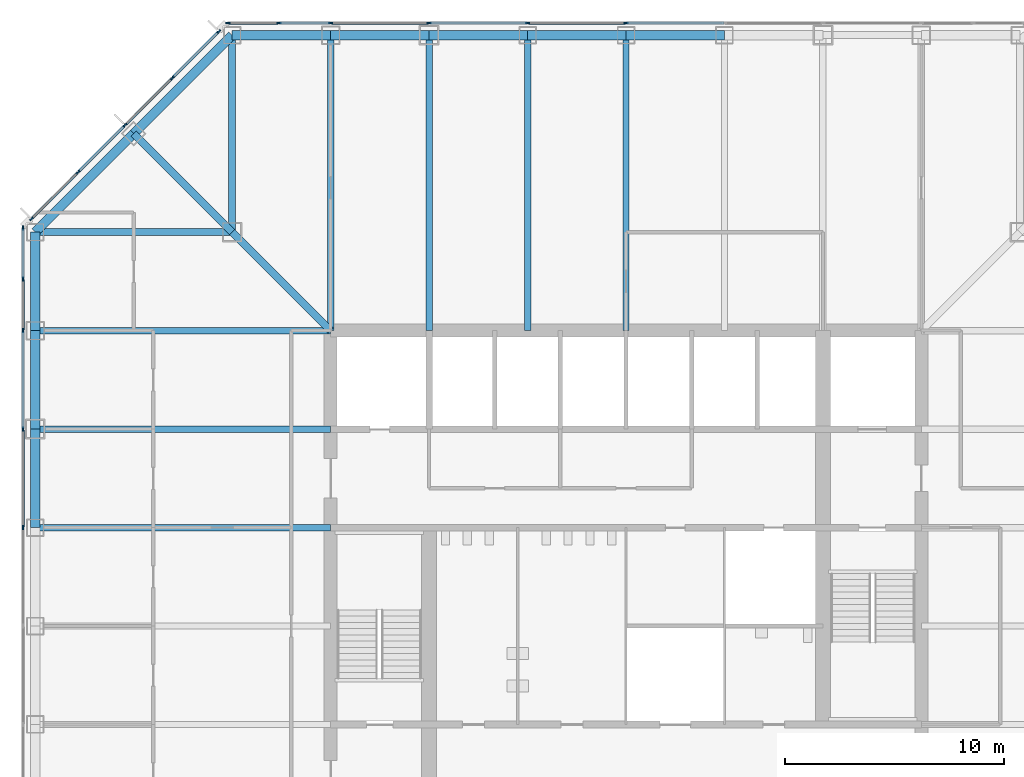
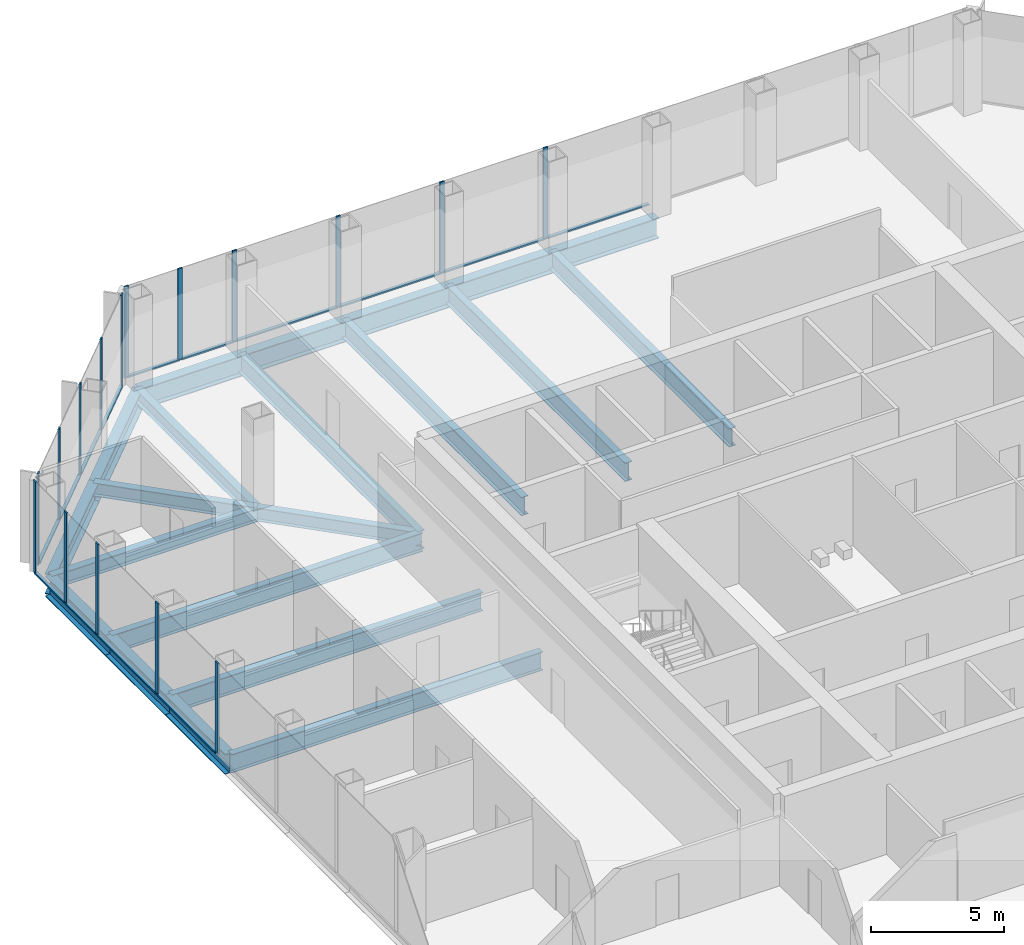
# One storey, part 5 of 13: 30 members, 21 beams, 3 elements without a shape of their own.
"""IFC4 building model written with IfcOpenShell, lengths in metres."""

from ifc_helpers import new_model, si_unit, direction, frame, origin, origin_2d, place, context, subcontext, project, spatial, rectangle, i_section, extrude, material, material_profile, profile_set, type_object, element, aggregate, save


model = new_model("IFC4")

# Units and contexts
model_context = context("Model", 3, precision=1e-05, world=origin(), true_north=direction((0.0, 1.0)))
body_context = subcontext(model_context, "Body", "Model", "MODEL_VIEW")
ifc_project = project(units=[si_unit("LENGTHUNIT", "METRE"), si_unit("AREAUNIT", "SQUARE_METRE"), si_unit("VOLUMEUNIT", "CUBIC_METRE"), si_unit("PLANEANGLEUNIT", "RADIAN"), si_unit("MASSUNIT", "GRAM", prefix="KILO")], contexts=[model_context])

# Site, building, storey
site_placement = place(None, origin())
site = spatial("IfcSite", under=ifc_project, at=site_placement, CompositionType="ELEMENT")
building_placement = place(site_placement, origin())
building = spatial("IfcBuilding", under=site, at=building_placement, Name="Corais Broadcast Tower", CompositionType="ELEMENT")
storey_placement = place(building_placement, frame((0.0, 0.0, 87.800048828125)))
storey = spatial("IfcBuildingStorey", under=building, at=storey_placement, Name="L19", CompositionType="ELEMENT", Elevation=87.800048828125)

# Beams
ifc_material_1 = material(Name="Steel ASTM A572 Grade 50", Category="steel")
ifc_material_profile_1 = material_profile(ifc_material_1, i_section(OverallWidth=0.323974609375, OverallDepth=0.611083984375, WebThickness=0.0126953125, FlangeThickness=0.01904296875, at=origin_2d()), Name="W610x155")
ifc_profile_set_1 = profile_set([ifc_material_profile_1], Name="Steel ASTM A572 Grade 50")
beam_type_1 = type_object("IfcBeamType", Name="Chamfer tie W610x155", PredefinedType="BEAM", material=ifc_profile_set_1)
beam_1_placement = place(storey_placement, frame((4.5, 49.5, -0.465576171875), z_axis=(0.707106781187, -0.707106781187, 0.0), x_axis=(0.707106781187, 0.707106781187, 0.0)))
element("IfcBeam", 1, at=beam_1_placement, inside=storey, type_object=beam_type_1, Name="B5 M/4 to L/5", PredefinedType="BEAM", context=body_context, shape_type="SweptSolid", body=[
    extrude(i_section(OverallWidth=0.323974609375, OverallDepth=0.611083984375, WebThickness=0.0126953125, FlangeThickness=0.01904296875, at=origin_2d()), origin(), (0.0, 0.0, 1.0), 6.364013671875),
])
ifc_material_2 = material(Name="Steel ASTM A572 Grade 50", Category="steel")
ifc_material_profile_2 = material_profile(ifc_material_2, i_section(OverallWidth=0.323974609375, OverallDepth=0.611083984375, WebThickness=0.0126953125, FlangeThickness=0.01904296875, at=origin_2d()), Name="W610x155")
ifc_profile_set_2 = profile_set([ifc_material_profile_2], Name="Steel ASTM A572 Grade 50")
beam_type_2 = type_object("IfcBeamType", Name="Corner diagonal W610x155", PredefinedType="BEAM", material=ifc_profile_set_2)
beam_2_placement = place(storey_placement, frame((9.0, 45.0, -0.465576171875), z_axis=(0.707106781187, -0.707106781187, 0.0), x_axis=(0.707106781187, 0.707106781187, 0.0)))
element("IfcBeam", 2, at=beam_2_placement, inside=storey, type_object=beam_type_2, Name="B6 L/5 to K/6", PredefinedType="BEAM", context=body_context, shape_type="SweptSolid", body=[
    extrude(i_section(OverallWidth=0.323974609375, OverallDepth=0.611083984375, WebThickness=0.0126953125, FlangeThickness=0.01904296875, at=origin_2d()), origin(), (0.0, 0.0, 1.0), 6.364013671875),
])
ifc_material_3 = material(Name="Steel ASTM A572 Grade 50", Category="steel")
ifc_material_profile_3 = material_profile(ifc_material_3, i_section(OverallWidth=0.323974609375, OverallDepth=0.611083984375, WebThickness=0.0126953125, FlangeThickness=0.01904296875, at=origin_2d()), Name="W610x155")
ifc_profile_set_3 = profile_set([ifc_material_profile_3], Name="Steel ASTM A572 Grade 50")
beam_type_3 = type_object("IfcBeamType", Name="Corner girder W610x155", PredefinedType="BEAM", material=ifc_profile_set_3)
for number, where, z_axis, x_axis, name in (
    (3, (0.0, 45.0, -0.465576171875), (1.0, 0.0, 0.0), (0.0, 1.0, 0.0), "B4 L/3 to L/5"),
    (4, (9.0, 54.0, -0.465576171875), (0.0, -1.0, 0.0), (1.0, 0.0, 0.0), "B4 N/5 to L/5"),
):
    element("IfcBeam", number, at=place(storey_placement, frame(where, z_axis=z_axis, x_axis=x_axis)), inside=storey, type_object=beam_type_3, Name=name, PredefinedType="BEAM", context=body_context, shape_type="SweptSolid", body=[
        extrude(i_section(OverallWidth=0.323974609375, OverallDepth=0.611083984375, WebThickness=0.0126953125, FlangeThickness=0.01904296875, at=origin_2d()), origin(), (0.0, 0.0, 1.0), 9.0),
    ])
ifc_material_4 = material(Name="Steel ASTM A572 Grade 50", Category="steel")
ifc_material_profile_4 = material_profile(ifc_material_4, i_section(OverallWidth=0.2939453125, OverallDepth=0.85107421875, WebThickness=0.01611328125, FlangeThickness=0.02685546875, at=origin_2d()), Name="W840x226")
ifc_profile_set_4 = profile_set([ifc_material_profile_4], Name="Steel ASTM A572 Grade 50")
beam_type_4 = type_object("IfcBeamType", Name="Floor beam W840x226", PredefinedType="BEAM", material=ifc_profile_set_4)
for number, where, z_axis, x_axis, name in (
    (5, (0.0, 31.5, -0.58544921875), (1.0, 0.0, 0.0), (0.0, 1.0, 0.0), "B1 H/3 to H/6"),
    (6, (0.0, 36.0, -0.58544921875), (1.0, 0.0, 0.0), (0.0, 1.0, 0.0), "B1 J/3 to J/6"),
    (7, (0.0, 40.5, -0.58544921875), (1.0, 0.0, 0.0), (0.0, 1.0, 0.0), "B1 K/3 to K/6"),
    (8, (13.5, 54.0, -0.58544921875), (0.0, -1.0, 0.0), (1.0, 0.0, 0.0), "B1 N/6 to K/6"),
    (9, (18.0, 54.0, -0.58544921875), (0.0, -1.0, 0.0), (1.0, 0.0, 0.0), "B1 N/7 to K/7"),
    (10, (22.5, 54.0, -0.58544921875), (0.0, -1.0, 0.0), (1.0, 0.0, 0.0), "B1 N/8 to K/8"),
    (11, (27.0, 54.0, -0.58544921875), (0.0, -1.0, 0.0), (1.0, 0.0, 0.0), "B1 N/9 to K/9"),
):
    element("IfcBeam", number, at=place(storey_placement, frame(where, z_axis=z_axis, x_axis=x_axis)), inside=storey, type_object=beam_type_4, Name=name, PredefinedType="BEAM", context=body_context, shape_type="SweptSolid", body=[
        extrude(i_section(OverallWidth=0.2939453125, OverallDepth=0.85107421875, WebThickness=0.01611328125, FlangeThickness=0.02685546875, at=origin_2d()), origin(), (0.0, 0.0, 1.0), 13.5),
    ])

# Curtain wall, members
ifc_material_5 = material(Name="Aluminium and glass", Category="aluminium")
curtain_wall_type = type_object("IfcCurtainWallType", Name="Unitised fritted curtain wall CW1", PredefinedType="NOTDEFINED", material=ifc_material_5)
curtain_wall_1_placement = place(storey_placement, origin())
curtain_wall_1 = element("IfcCurtainWall", 12, at=curtain_wall_1_placement, inside=storey, type_object=curtain_wall_type, Name="CW1 curtain wall L19 2", PredefinedType="NOTDEFINED")
ifc_material_6 = material(Name="Aluminium 6063-T6", Category="aluminium")
ifc_material_profile_5 = material_profile(ifc_material_6, rectangle(XDim=0.06494140625, YDim=0.199951171875, at=origin_2d()), Name="Mullion CW1 65x200")
ifc_profile_set_5 = profile_set([ifc_material_profile_5], Name="Aluminium 6063-T6")
member_type_1 = type_object("IfcMemberType", Name="Mullion CW1 65x200", PredefinedType="MULLION", material=ifc_profile_set_5)
member_1_placement = place(storey_placement, frame((-0.550048828125, 31.5, 0.0), z_axis=(0.0, 0.0, 1.0), x_axis=(-1.0, 0.0, 0.0)))
member_1 = element("IfcMember", 13, at=member_1_placement, type_object=member_type_1, Name="CW1 mullion 7", PredefinedType="MULLION", context=body_context, shape_type="SweptSolid", body=[
    extrude(rectangle(XDim=0.06494140625, YDim=0.199951171875, at=origin_2d()), origin(), (0.0, 0.0, 1.0), 4.199951171875),
])
member_2_placement = place(storey_placement, frame((-0.550048828125, 36.0, 0.0), z_axis=(0.0, 0.0, 1.0), x_axis=(-1.0, 0.0, 0.0)))
member_2 = element("IfcMember", 14, at=member_2_placement, type_object=member_type_1, Name="CW1 mullion 8", PredefinedType="MULLION", context=body_context, shape_type="SweptSolid", body=[
    extrude(rectangle(XDim=0.06494140625, YDim=0.199951171875, at=origin_2d()), origin(), (0.0, 0.0, 1.0), 4.199951171875),
])
member_3_placement = place(storey_placement, frame((-0.550048828125, 40.5, 0.0), z_axis=(0.0, 0.0, 1.0), x_axis=(-1.0, 0.0, 0.0)))
member_3 = element("IfcMember", 15, at=member_3_placement, type_object=member_type_1, Name="CW1 mullion 9", PredefinedType="MULLION", context=body_context, shape_type="SweptSolid", body=[
    extrude(rectangle(XDim=0.06494140625, YDim=0.199951171875, at=origin_2d()), origin(), (0.0, 0.0, 1.0), 4.199951171875),
])
member_4_placement = place(storey_placement, frame((-0.550048828125, 42.864013671875, 0.0), z_axis=(0.0, 0.0, 1.0), x_axis=(-1.0, 0.0, 0.0)))
member_4 = element("IfcMember", 16, at=member_4_placement, type_object=member_type_1, Name="CW1 mullion 10", PredefinedType="MULLION", context=body_context, shape_type="SweptSolid", body=[
    extrude(rectangle(XDim=0.06494140625, YDim=0.199951171875, at=origin_2d()), origin(), (0.0, 0.0, 1.0), 4.199951171875),
])
member_5_placement = place(storey_placement, frame((-0.550048828125, 45.1953125, 0.0), z_axis=(0.0, 0.0, 1.0), x_axis=(-1.0, 0.0, 0.0)))
member_5 = element("IfcMember", 17, at=member_5_placement, type_object=member_type_1, Name="CW1 mullion 11", PredefinedType="MULLION", context=body_context, shape_type="SweptSolid", body=[
    extrude(rectangle(XDim=0.06494140625, YDim=0.199951171875, at=origin_2d()), origin(), (0.0, 0.0, 1.0), 4.199951171875),
])

curtain_wall_2_placement = place(storey_placement, origin())
curtain_wall_2 = element("IfcCurtainWall", 18, at=curtain_wall_2_placement, inside=storey, type_object=curtain_wall_type, Name="CW1 curtain wall L19 3", PredefinedType="NOTDEFINED")
member_6_placement = place(storey_placement, frame((-0.17333984375, 45.6044921875, 0.0), z_axis=(0.0, 0.0, 1.0), x_axis=(-0.707106781187, 0.707106781187, 0.0)))
member_6 = element("IfcMember", 19, at=member_6_placement, type_object=member_type_1, Name="CW1 mullion 1", PredefinedType="MULLION", context=body_context, shape_type="SweptSolid", body=[
    extrude(rectangle(XDim=0.06494140625, YDim=0.199951171875, at=origin_2d()), origin(), (0.0, 0.0, 1.0), 4.199951171875),
])
member_7_placement = place(storey_placement, frame((1.957275390625, 47.735107421875, 0.0), z_axis=(0.0, 0.0, 1.0), x_axis=(-0.707106781187, 0.707106781187, 0.0)))
member_7 = element("IfcMember", 20, at=member_7_placement, type_object=member_type_1, Name="CW1 mullion 2", PredefinedType="MULLION", context=body_context, shape_type="SweptSolid", body=[
    extrude(rectangle(XDim=0.06494140625, YDim=0.199951171875, at=origin_2d()), origin(), (0.0, 0.0, 1.0), 4.199951171875),
])
member_8_placement = place(storey_placement, frame((4.111083984375, 49.888916015625, 0.0), z_axis=(0.0, 0.0, 1.0), x_axis=(-0.707106781187, 0.707106781187, 0.0)))
member_8 = element("IfcMember", 21, at=member_8_placement, type_object=member_type_1, Name="CW1 mullion 3", PredefinedType="MULLION", context=body_context, shape_type="SweptSolid", body=[
    extrude(rectangle(XDim=0.06494140625, YDim=0.199951171875, at=origin_2d()), origin(), (0.0, 0.0, 1.0), 4.199951171875),
])
member_9_placement = place(storey_placement, frame((6.264892578125, 52.042724609375, 0.0), z_axis=(0.0, 0.0, 1.0), x_axis=(-0.707106781187, 0.707106781187, 0.0)))
member_9 = element("IfcMember", 22, at=member_9_placement, type_object=member_type_1, Name="CW1 mullion 4", PredefinedType="MULLION", context=body_context, shape_type="SweptSolid", body=[
    extrude(rectangle(XDim=0.06494140625, YDim=0.199951171875, at=origin_2d()), origin(), (0.0, 0.0, 1.0), 4.199951171875),
])
member_10_placement = place(storey_placement, frame((8.3955078125, 54.17333984375, 0.0), z_axis=(0.0, 0.0, 1.0), x_axis=(-0.707106781187, 0.707106781187, 0.0)))
member_10 = element("IfcMember", 23, at=member_10_placement, type_object=member_type_1, Name="CW1 mullion 5", PredefinedType="MULLION", context=body_context, shape_type="SweptSolid", body=[
    extrude(rectangle(XDim=0.06494140625, YDim=0.199951171875, at=origin_2d()), origin(), (0.0, 0.0, 1.0), 4.199951171875),
])

curtain_wall_3_placement = place(storey_placement, origin())
curtain_wall_3 = element("IfcCurtainWall", 24, at=curtain_wall_3_placement, inside=storey, type_object=curtain_wall_type, Name="CW1 curtain wall L19 4", PredefinedType="NOTDEFINED")
member_11_placement = place(storey_placement, frame((8.8046875, 54.550048828125, 0.0), z_axis=(0.0, 0.0, 1.0), x_axis=(0.0, 1.0, 0.0)))
member_11 = element("IfcMember", 25, at=member_11_placement, type_object=member_type_1, Name="CW1 mullion 1", PredefinedType="MULLION", context=body_context, shape_type="SweptSolid", body=[
    extrude(rectangle(XDim=0.06494140625, YDim=0.199951171875, at=origin_2d()), origin(), (0.0, 0.0, 1.0), 4.199951171875),
])
member_12_placement = place(storey_placement, frame((11.135986328125, 54.550048828125, 0.0), z_axis=(0.0, 0.0, 1.0), x_axis=(0.0, 1.0, 0.0)))
member_12 = element("IfcMember", 26, at=member_12_placement, type_object=member_type_1, Name="CW1 mullion 2", PredefinedType="MULLION", context=body_context, shape_type="SweptSolid", body=[
    extrude(rectangle(XDim=0.06494140625, YDim=0.199951171875, at=origin_2d()), origin(), (0.0, 0.0, 1.0), 4.199951171875),
])
member_13_placement = place(storey_placement, frame((13.5, 54.550048828125, 0.0), z_axis=(0.0, 0.0, 1.0), x_axis=(0.0, 1.0, 0.0)))
member_13 = element("IfcMember", 27, at=member_13_placement, type_object=member_type_1, Name="CW1 mullion 3", PredefinedType="MULLION", context=body_context, shape_type="SweptSolid", body=[
    extrude(rectangle(XDim=0.06494140625, YDim=0.199951171875, at=origin_2d()), origin(), (0.0, 0.0, 1.0), 4.199951171875),
])
member_14_placement = place(storey_placement, frame((18.0, 54.550048828125, 0.0), z_axis=(0.0, 0.0, 1.0), x_axis=(0.0, 1.0, 0.0)))
member_14 = element("IfcMember", 28, at=member_14_placement, type_object=member_type_1, Name="CW1 mullion 4", PredefinedType="MULLION", context=body_context, shape_type="SweptSolid", body=[
    extrude(rectangle(XDim=0.06494140625, YDim=0.199951171875, at=origin_2d()), origin(), (0.0, 0.0, 1.0), 4.199951171875),
])
member_15_placement = place(storey_placement, frame((22.5, 54.550048828125, 0.0), z_axis=(0.0, 0.0, 1.0), x_axis=(0.0, 1.0, 0.0)))
member_15 = element("IfcMember", 29, at=member_15_placement, type_object=member_type_1, Name="CW1 mullion 5", PredefinedType="MULLION", context=body_context, shape_type="SweptSolid", body=[
    extrude(rectangle(XDim=0.06494140625, YDim=0.199951171875, at=origin_2d()), origin(), (0.0, 0.0, 1.0), 4.199951171875),
])
member_16_placement = place(storey_placement, frame((27.0, 54.550048828125, 0.0), z_axis=(0.0, 0.0, 1.0), x_axis=(0.0, 1.0, 0.0)))
member_16 = element("IfcMember", 30, at=member_16_placement, type_object=member_type_1, Name="CW1 mullion 6", PredefinedType="MULLION", context=body_context, shape_type="SweptSolid", body=[
    extrude(rectangle(XDim=0.06494140625, YDim=0.199951171875, at=origin_2d()), origin(), (0.0, 0.0, 1.0), 4.199951171875),
])

# Beams
ifc_material_7 = material(Name="Steel ASTM A572 Grade 50", Category="steel")
ifc_material_profile_6 = material_profile(ifc_material_7, i_section(OverallWidth=0.4189453125, OverallDepth=0.94189453125, WebThickness=0.022216796875, FlangeThickness=0.03662109375, at=origin_2d()), Name="W920x345")
ifc_profile_set_6 = profile_set([ifc_material_profile_6], Name="Steel ASTM A572 Grade 50")
beam_type_5 = type_object("IfcBeamType", Name="Transfer spandrel W920x345", PredefinedType="BEAM", material=ifc_profile_set_6)
for number, where, z_axis, x_axis, name in (
    (31, (0.0, 36.0, -0.631103515625), (0.0, -1.0, 0.0), (1.0, 0.0, 0.0), "SB4 J/3 to H/3"),
    (32, (0.0, 40.5, -0.631103515625), (0.0, -1.0, 0.0), (1.0, 0.0, 0.0), "SB4 K/3 to J/3"),
    (33, (0.0, 45.0, -0.631103515625), (0.0, -1.0, 0.0), (1.0, 0.0, 0.0), "SB4 L/3 to K/3"),
    (34, (13.5, 54.0, -0.631103515625), (-1.0, 0.0, 0.0), (0.0, -1.0, 0.0), "SB4 N/6 to N/5"),
    (35, (18.0, 54.0, -0.631103515625), (-1.0, 0.0, 0.0), (0.0, -1.0, 0.0), "SB4 N/7 to N/6"),
    (36, (22.5, 54.0, -0.631103515625), (-1.0, 0.0, 0.0), (0.0, -1.0, 0.0), "SB4 N/8 to N/7"),
    (37, (27.0, 54.0, -0.631103515625), (-1.0, 0.0, 0.0), (0.0, -1.0, 0.0), "SB4 N/9 to N/8"),
    (38, (31.5, 54.0, -0.631103515625), (-1.0, 0.0, 0.0), (0.0, -1.0, 0.0), "SB4 N/10 to N/9"),
):
    element("IfcBeam", number, at=place(storey_placement, frame(where, z_axis=z_axis, x_axis=x_axis)), inside=storey, type_object=beam_type_5, Name=name, PredefinedType="BEAM", context=body_context, shape_type="SweptSolid", body=[
        extrude(i_section(OverallWidth=0.4189453125, OverallDepth=0.94189453125, WebThickness=0.022216796875, FlangeThickness=0.03662109375, at=origin_2d()), origin(), (0.0, 0.0, 1.0), 4.5),
    ])
for number, where, z_axis, x_axis, name in (
    (39, (4.5, 49.5, -0.631103515625), (-0.707106781187, -0.707106781187, 0.0), (0.707106781187, -0.707106781187, 0.0), "SB4 M/4 to L/3"),
    (40, (9.0, 54.0, -0.631103515625), (-0.707106781187, -0.707106781187, 0.0), (0.707106781187, -0.707106781187, 0.0), "SB4 N/5 to M/4"),
):
    element("IfcBeam", number, at=place(storey_placement, frame(where, z_axis=z_axis, x_axis=x_axis)), inside=storey, type_object=beam_type_5, Name=name, PredefinedType="BEAM", context=body_context, shape_type="SweptSolid", body=[
        extrude(i_section(OverallWidth=0.4189453125, OverallDepth=0.94189453125, WebThickness=0.022216796875, FlangeThickness=0.03662109375, at=origin_2d()), origin(), (0.0, 0.0, 1.0), 6.364013671875),
    ])

# Member
ifc_material_8 = material(Name="Aluminium 6063-T6", Category="aluminium")
ifc_material_profile_7 = material_profile(ifc_material_8, rectangle(XDim=0.139892578125, YDim=0.06494140625, at=origin_2d()), Name="Transom CW1 65x140")
ifc_profile_set_7 = profile_set([ifc_material_profile_7], Name="Aluminium 6063-T6")
member_type_2 = type_object("IfcMemberType", Name="Transom CW1 65x140", PredefinedType="USERDEFINED", material=ifc_profile_set_7)
member_17_placement = place(storey_placement, frame((-0.550048828125, 31.532470703125, 0.032470703125), z_axis=(0.0, 1.0, 0.0), x_axis=(-1.0, 0.0, 0.0)))
member_17 = element("IfcMember", 41, at=member_17_placement, type_object=member_type_2, Name="CW1 transom 7.1", ObjectType="TRANSOM", PredefinedType="USERDEFINED", context=body_context, shape_type="SweptSolid", body=[
    extrude(rectangle(XDim=0.139892578125, YDim=0.06494140625, at=origin_2d()), origin(), (0.0, 0.0, 1.0), 4.43505859375),
])

member_18_placement = place(storey_placement, frame((-0.550048828125, 36.032470703125, 0.032470703125), z_axis=(0.0, 1.0, 0.0), x_axis=(-1.0, 0.0, 0.0)))
member_18 = element("IfcMember", 42, at=member_18_placement, type_object=member_type_2, Name="CW1 transom 8.1", ObjectType="TRANSOM", PredefinedType="USERDEFINED", context=body_context, shape_type="SweptSolid", body=[
    extrude(rectangle(XDim=0.139892578125, YDim=0.06494140625, at=origin_2d()), origin(), (0.0, 0.0, 1.0), 4.43505859375),
])

member_19_placement = place(storey_placement, frame((-0.550048828125, 40.532470703125, 0.032470703125), z_axis=(0.0, 1.0, 0.0), x_axis=(-1.0, 0.0, 0.0)))
member_19 = element("IfcMember", 43, at=member_19_placement, type_object=member_type_2, Name="CW1 transom 9.1", ObjectType="TRANSOM", PredefinedType="USERDEFINED", context=body_context, shape_type="SweptSolid", body=[
    extrude(rectangle(XDim=0.139892578125, YDim=0.06494140625, at=origin_2d()), origin(), (0.0, 0.0, 1.0), 2.298828125),
])

member_20_placement = place(storey_placement, frame((-0.550048828125, 42.896484375, 0.032470703125), z_axis=(0.0, 1.0, 0.0), x_axis=(-1.0, 0.0, 0.0)))
member_20 = element("IfcMember", 44, at=member_20_placement, type_object=member_type_2, Name="CW1 transom 10.1", ObjectType="TRANSOM", PredefinedType="USERDEFINED", context=body_context, shape_type="SweptSolid", body=[
    extrude(rectangle(XDim=0.139892578125, YDim=0.06494140625, at=origin_2d()), origin(), (0.0, 0.0, 1.0), 2.266357421875),
])

aggregate(curtain_wall_1, [member_1, member_2, member_3, member_4, member_5, member_17, member_18, member_19, member_20])

member_21_placement = place(storey_placement, frame((-0.150390625, 45.62744140625, 0.032470703125), z_axis=(0.707106781187, 0.707106781187, 0.0), x_axis=(-0.707106781187, 0.707106781187, 0.0)))
member_21 = element("IfcMember", 45, at=member_21_placement, type_object=member_type_2, Name="CW1 transom 1.1", ObjectType="TRANSOM", PredefinedType="USERDEFINED", context=body_context, shape_type="SweptSolid", body=[
    extrude(rectangle(XDim=0.139892578125, YDim=0.06494140625, at=origin_2d()), origin(), (0.0, 0.0, 1.0), 2.9482421875),
])

member_22_placement = place(storey_placement, frame((1.980224609375, 47.758056640625, 0.032470703125), z_axis=(0.707106781187, 0.707106781187, 0.0), x_axis=(-0.707106781187, 0.707106781187, 0.0)))
member_22 = element("IfcMember", 46, at=member_22_placement, type_object=member_type_2, Name="CW1 transom 2.1", ObjectType="TRANSOM", PredefinedType="USERDEFINED", context=body_context, shape_type="SweptSolid", body=[
    extrude(rectangle(XDim=0.139892578125, YDim=0.06494140625, at=origin_2d()), origin(), (0.0, 0.0, 1.0), 2.98095703125),
])

member_23_placement = place(storey_placement, frame((4.134033203125, 49.911865234375, 0.032470703125), z_axis=(0.707106781187, 0.707106781187, 0.0), x_axis=(-0.707106781187, 0.707106781187, 0.0)))
member_23 = element("IfcMember", 47, at=member_23_placement, type_object=member_type_2, Name="CW1 transom 3.1", ObjectType="TRANSOM", PredefinedType="USERDEFINED", context=body_context, shape_type="SweptSolid", body=[
    extrude(rectangle(XDim=0.139892578125, YDim=0.06494140625, at=origin_2d()), origin(), (0.0, 0.0, 1.0), 2.98095703125),
])

member_24_placement = place(storey_placement, frame((6.287841796875, 52.065673828125, 0.032470703125), z_axis=(0.707106781187, 0.707106781187, 0.0), x_axis=(-0.707106781187, 0.707106781187, 0.0)))
member_24 = element("IfcMember", 48, at=member_24_placement, type_object=member_type_2, Name="CW1 transom 4.1", ObjectType="TRANSOM", PredefinedType="USERDEFINED", context=body_context, shape_type="SweptSolid", body=[
    extrude(rectangle(XDim=0.139892578125, YDim=0.06494140625, at=origin_2d()), origin(), (0.0, 0.0, 1.0), 2.9482421875),
])

aggregate(curtain_wall_2, [member_6, member_7, member_8, member_9, member_10, member_21, member_22, member_23, member_24])

member_25_placement = place(storey_placement, frame((8.837158203125, 54.550048828125, 0.032470703125), z_axis=(1.0, 0.0, 0.0), x_axis=(0.0, 1.0, 0.0)))
member_25 = element("IfcMember", 49, at=member_25_placement, type_object=member_type_2, Name="CW1 transom 1.1", ObjectType="TRANSOM", PredefinedType="USERDEFINED", context=body_context, shape_type="SweptSolid", body=[
    extrude(rectangle(XDim=0.139892578125, YDim=0.06494140625, at=origin_2d()), origin(), (0.0, 0.0, 1.0), 2.266357421875),
])

member_26_placement = place(storey_placement, frame((11.168701171875, 54.550048828125, 0.032470703125), z_axis=(1.0, 0.0, 0.0), x_axis=(0.0, 1.0, 0.0)))
member_26 = element("IfcMember", 50, at=member_26_placement, type_object=member_type_2, Name="CW1 transom 2.1", ObjectType="TRANSOM", PredefinedType="USERDEFINED", context=body_context, shape_type="SweptSolid", body=[
    extrude(rectangle(XDim=0.139892578125, YDim=0.06494140625, at=origin_2d()), origin(), (0.0, 0.0, 1.0), 2.298828125),
])

member_27_placement = place(storey_placement, frame((13.532470703125, 54.550048828125, 0.032470703125), z_axis=(1.0, 0.0, 0.0), x_axis=(0.0, 1.0, 0.0)))
member_27 = element("IfcMember", 51, at=member_27_placement, type_object=member_type_2, Name="CW1 transom 3.1", ObjectType="TRANSOM", PredefinedType="USERDEFINED", context=body_context, shape_type="SweptSolid", body=[
    extrude(rectangle(XDim=0.139892578125, YDim=0.06494140625, at=origin_2d()), origin(), (0.0, 0.0, 1.0), 4.43505859375),
])

member_28_placement = place(storey_placement, frame((18.032470703125, 54.550048828125, 0.032470703125), z_axis=(1.0, 0.0, 0.0), x_axis=(0.0, 1.0, 0.0)))
member_28 = element("IfcMember", 52, at=member_28_placement, type_object=member_type_2, Name="CW1 transom 4.1", ObjectType="TRANSOM", PredefinedType="USERDEFINED", context=body_context, shape_type="SweptSolid", body=[
    extrude(rectangle(XDim=0.139892578125, YDim=0.06494140625, at=origin_2d()), origin(), (0.0, 0.0, 1.0), 4.43505859375),
])

member_29_placement = place(storey_placement, frame((22.532470703125, 54.550048828125, 0.032470703125), z_axis=(1.0, 0.0, 0.0), x_axis=(0.0, 1.0, 0.0)))
member_29 = element("IfcMember", 53, at=member_29_placement, type_object=member_type_2, Name="CW1 transom 5.1", ObjectType="TRANSOM", PredefinedType="USERDEFINED", context=body_context, shape_type="SweptSolid", body=[
    extrude(rectangle(XDim=0.139892578125, YDim=0.06494140625, at=origin_2d()), origin(), (0.0, 0.0, 1.0), 4.43505859375),
])

member_30_placement = place(storey_placement, frame((27.032470703125, 54.550048828125, 0.032470703125), z_axis=(1.0, 0.0, 0.0), x_axis=(0.0, 1.0, 0.0)))
member_30 = element("IfcMember", 54, at=member_30_placement, type_object=member_type_2, Name="CW1 transom 6.1", ObjectType="TRANSOM", PredefinedType="USERDEFINED", context=body_context, shape_type="SweptSolid", body=[
    extrude(rectangle(XDim=0.139892578125, YDim=0.06494140625, at=origin_2d()), origin(), (0.0, 0.0, 1.0), 4.43505859375),
])

aggregate(curtain_wall_3, [member_11, member_12, member_13, member_14, member_15, member_16, member_25, member_26, member_27, member_28, member_29, member_30])

save(model, "model.ifc")
